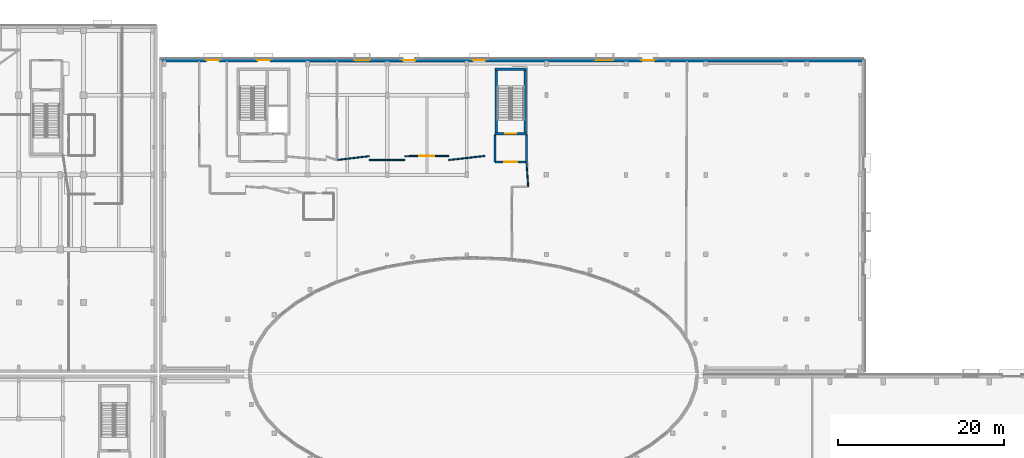
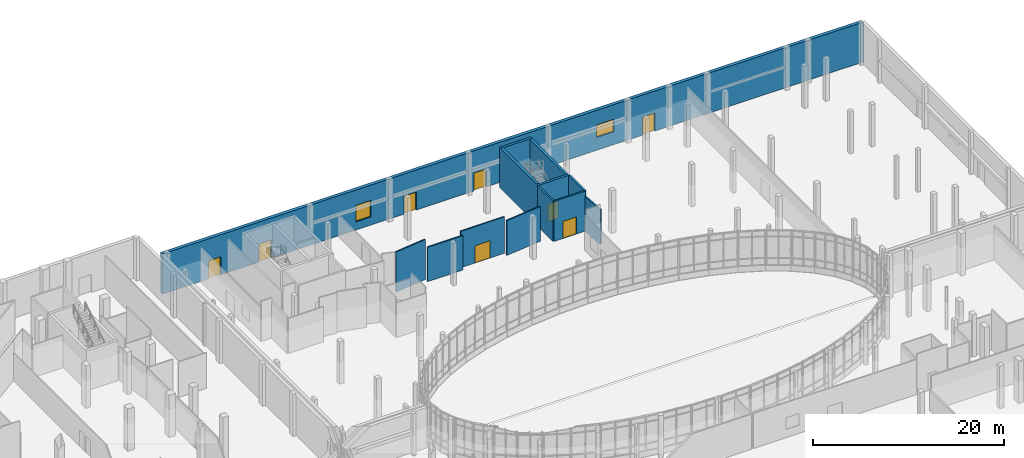
# One storey, part 49 of 84: 13 walls, 8 doors, 2 windows, 10 openings.
"""IFC4 building model written with IfcOpenShell, lengths in metres."""

from ifc_helpers import new_model, si_unit, direction, frame, frame_2d, origin, place, context, subcontext, project, spatial, rectangle, extrude, material, layer, layer_set, type_object, element, fill, save


model = new_model("IFC4")

# Units and contexts
model_context = context("Model", 3, precision=1e-05, world=origin(), true_north=direction((0.0, 1.0)))
body_context = subcontext(model_context, "Body", "Model", "MODEL_VIEW")
ifc_project = project(units=[si_unit("LENGTHUNIT", "METRE"), si_unit("AREAUNIT", "SQUARE_METRE"), si_unit("VOLUMEUNIT", "CUBIC_METRE"), si_unit("PLANEANGLEUNIT", "RADIAN"), si_unit("MASSUNIT", "GRAM", prefix="KILO")], contexts=[model_context])

# Site, building, storey
site_placement = place(None, origin())
site = spatial("IfcSite", under=ifc_project, at=site_placement, CompositionType="ELEMENT")
building_placement = place(site_placement, origin())
building = spatial("IfcBuilding", under=site, at=building_placement, Name="Mzevani Central Library", CompositionType="ELEMENT")
storey_placement = place(building_placement, origin())
storey = spatial("IfcBuildingStorey", under=building, at=storey_placement, Name="L00", CompositionType="ELEMENT", Elevation=0.0)

# Wall
ifc_material_1 = material(Name="Concrete C35/45", Category="concrete")
ifc_layer_1 = layer(ifc_material_1, 0.199951171875, Name="Compartment Wall 200")
ifc_layer_set_1 = layer_set([ifc_layer_1], Name="Concrete C35/45")
wall_type_1 = type_object("IfcWallType", Name="Compartment Wall 200", PredefinedType="STANDARD", material=ifc_layer_set_1)
wall_1_placement = place(storey_placement, frame((86.60009765625, 104.800048828125, 0.0), z_axis=(0.0, 0.0, 1.0), x_axis=(0.0, -1.0, 0.0)))
element("IfcWall", 1, at=wall_1_placement, inside=storey, type_object=wall_type_1, Name="L00 Stair Vestibule C3B Enclosure Wall 1", PredefinedType="STANDARD", context=body_context, shape_type="SweptSolid", body=[
    extrude(rectangle(XDim=3.25, YDim=0.199951171875, at=frame_2d((1.625, 0.0))), origin(), (0.0, 0.0, 1.0), 5.1201171875),
])

# Wall, opening, door
wall_2_placement = place(storey_placement, frame((86.60009765625, 101.550048828125, 0.0), z_axis=(0.0, 0.0, 1.0), x_axis=(1.0, 0.0, 0.0)))
wall_2 = element("IfcWall", 2, at=wall_2_placement, inside=storey, type_object=wall_type_1, Name="L00 Stair Vestibule C3B Enclosure Wall 2", PredefinedType="STANDARD", context=body_context, shape_type="SweptSolid", body=[
    extrude(rectangle(XDim=3.7998046875, YDim=0.199951171875, at=frame_2d((1.89990234375, 0.0))), origin(), (0.0, 0.0, 1.0), 5.1201171875),
])
opening_1_placement = place(wall_2_placement, frame((1.10009765625, 0.0, 0.0)))
opening_1 = element("IfcOpeningElement", 3, at=opening_1_placement, cuts=wall_2, Name="Opening FD-02", PredefinedType="OPENING", context=body_context, shape_type="SweptSolid", body=[
    extrude(rectangle(XDim=1.60009765625, YDim=2.199951171875, at=frame_2d((0.800048828125, 1.10009765625))), frame((0.0, 0.10986328125, 0.0), z_axis=(0.0, -1.0, 0.0), x_axis=(1.0, 0.0, 0.0)), (0.0, 0.0, 1.0), 0.219970703125),
])
ifc_material_2 = material(Name="Fire-rated steel door assembly", Category="steel")
door_type_1 = type_object("IfcDoorType", Name="Fire Lobby Double Door 1600x2200", OperationType="NOTDEFINED", PredefinedType="DOOR", material=ifc_material_2)
door_1_placement = place(opening_1_placement, origin())
door_1 = element("IfcDoor", 4, at=door_1_placement, inside=storey, type_object=door_type_1, Name="L00 Stair Vestibule C3B Smoke-Control Door", OperationType="DOUBLE_DOOR_SINGLE_SWING", OverallHeight=2.199951171875, OverallWidth=1.60009765625, PredefinedType="DOOR", context=body_context, shape_type="SweptSolid", body=[
    extrude(rectangle(XDim=1.60009765625, YDim=2.199951171875, at=frame_2d((0.800048828125, 1.10009765625))), frame((0.0, 0.02490234375, 0.0), z_axis=(0.0, -1.0, 0.0), x_axis=(1.0, 0.0, 0.0)), (0.0, 0.0, 1.0), 0.050048828125),
])
fill(opening_1, door_1)

# Wall
wall_3_placement = place(storey_placement, frame((90.39990234375, 101.550048828125, 0.0), z_axis=(0.0, 0.0, 1.0), x_axis=(0.0, 1.0, 0.0)))
element("IfcWall", 5, at=wall_3_placement, inside=storey, type_object=wall_type_1, Name="L00 Stair Vestibule C3B Enclosure Wall 3", PredefinedType="STANDARD", context=body_context, shape_type="SweptSolid", body=[
    extrude(rectangle(XDim=3.25, YDim=0.199951171875, at=frame_2d((1.625, 0.0))), origin(), (0.0, 0.0, 1.0), 5.1201171875),
])

# Wall, opening, door
ifc_material_3 = material(Name="Concrete C40/50", Category="concrete")
ifc_layer_2 = layer(ifc_material_3, 0.300048828125, Name="Core Shear Wall 300")
ifc_layer_set_2 = layer_set([ifc_layer_2], Name="Concrete C40/50")
wall_type_2 = type_object("IfcWallType", Name="Core Shear Wall 300", PredefinedType="SHEAR", material=ifc_layer_set_2)
wall_4_placement = place(storey_placement, frame((90.39990234375, 104.949951171875, 0.0), z_axis=(0.0, 0.0, 1.0), x_axis=(-1.0, 0.0, 0.0)))
wall_4 = element("IfcWall", 6, at=wall_4_placement, inside=storey, type_object=wall_type_2, Name="L00 Core C3B Atrium East Escape Stair Shear Wall (-y)", PredefinedType="SHEAR", context=body_context, shape_type="SweptSolid", body=[
    extrude(rectangle(XDim=3.7998046875, YDim=0.300048828125, at=frame_2d((1.89990234375, 0.0))), origin(), (0.0, 0.0, 1.0), 5.1201171875),
])
opening_2_placement = place(wall_4_placement, frame((1.25, 0.0, 0.0)))
opening_2 = element("IfcOpeningElement", 7, at=opening_2_placement, cuts=wall_4, Name="Opening FD-01", PredefinedType="OPENING", context=body_context, shape_type="SweptSolid", body=[
    extrude(rectangle(XDim=1.300048828125, YDim=2.199951171875, at=frame_2d((0.64990234375, 1.10009765625))), frame((0.0, 0.16015625, 0.0), z_axis=(0.0, -1.0, 0.0), x_axis=(1.0, 0.0, 0.0)), (0.0, 0.0, 1.0), 0.320068359375),
])
door_type_2 = type_object("IfcDoorType", Name="Fire Stair Door 1300x2200", OperationType="NOTDEFINED", PredefinedType="DOOR", material=ifc_material_2)
door_2_placement = place(opening_2_placement, origin())
door_2 = element("IfcDoor", 8, at=door_2_placement, inside=storey, type_object=door_type_2, Name="L00 ST-06 Protected Exit Stair Door", OperationType="SINGLE_SWING_LEFT", OverallHeight=2.199951171875, OverallWidth=1.300048828125, PredefinedType="DOOR", context=body_context, shape_type="SweptSolid", body=[
    extrude(rectangle(XDim=1.300048828125, YDim=2.199951171875, at=frame_2d((0.64990234375, 1.10009765625))), frame((0.0, 0.02490234375, 0.0), z_axis=(0.0, -1.0, 0.0), x_axis=(1.0, 0.0, 0.0)), (0.0, 0.0, 1.0), 0.050048828125),
])
fill(opening_2, door_2)

# Walls
wall_5_placement = place(storey_placement, frame((86.75, 104.800048828125, 0.0), z_axis=(0.0, 0.0, 1.0), x_axis=(0.0, 1.0, 0.0)))
element("IfcWall", 9, at=wall_5_placement, inside=storey, type_object=wall_type_2, Name="L00 Core C3B Atrium East Escape Stair Shear Wall (-x)", PredefinedType="SHEAR", context=body_context, shape_type="SweptSolid", body=[
    extrude(rectangle(XDim=8.099853515625, YDim=0.300048828125, at=frame_2d((4.0498046875, 0.0))), origin(), (0.0, 0.0, 1.0), 5.1201171875),
])
wall_6_placement = place(storey_placement, frame((86.60009765625, 112.75, 0.0), z_axis=(0.0, 0.0, 1.0), x_axis=(1.0, 0.0, 0.0)))
element("IfcWall", 10, at=wall_6_placement, inside=storey, type_object=wall_type_2, Name="L00 Core C3B Atrium East Escape Stair Shear Wall (+y)", PredefinedType="SHEAR", context=body_context, shape_type="SweptSolid", body=[
    extrude(rectangle(XDim=3.7998046875, YDim=0.300048828125, at=frame_2d((1.89990234375, 0.0))), origin(), (0.0, 0.0, 1.0), 5.1201171875),
])
wall_7_placement = place(storey_placement, frame((90.25, 112.89990234375, 0.0), z_axis=(0.0, 0.0, 1.0), x_axis=(0.0, -1.0, 0.0)))
element("IfcWall", 11, at=wall_7_placement, inside=storey, type_object=wall_type_2, Name="L00 Core C3B Atrium East Escape Stair Shear Wall (+x)", PredefinedType="SHEAR", context=body_context, shape_type="SweptSolid", body=[
    extrude(rectangle(XDim=8.099853515625, YDim=0.300048828125, at=frame_2d((4.0498046875, 0.0))), origin(), (0.0, 0.0, 1.0), 5.1201171875),
])

# Wall, openings, windows, doors
ifc_material_4 = material(Name="Precast concrete C40/50", Category="concrete")
ifc_layer_3 = layer(ifc_material_4, 0.3798828125, Name="Exterior Thermal Concrete Wall 380")
ifc_layer_set_3 = layer_set([ifc_layer_3], Name="Precast concrete C40/50")
wall_type_3 = type_object("IfcWallType", Name="Exterior Thermal Concrete Wall 380", PredefinedType="STANDARD", material=ifc_layer_set_3)
wall_8_placement = place(storey_placement, frame((46.2900390625, 113.81005859375, 0.0), z_axis=(0.0, 0.0, 1.0), x_axis=(1.0, 0.0, 0.0)))
wall_8 = element("IfcWall", 12, at=wall_8_placement, inside=storey, type_object=wall_type_3, Name="L00 V3 Exterior Thermal Wall (41)", PredefinedType="STANDARD", context=body_context, shape_type="SweptSolid", body=[
    extrude(rectangle(XDim=84.719970703125, YDim=0.3798828125, at=frame_2d((42.35986328125, 0.0))), origin(), (0.0, 0.0, 1.0), 5.1201171875),
])
opening_3_placement = place(wall_8_placement, frame((5.56494140625, 0.0, 0.0)))
opening_3 = element("IfcOpeningElement", 13, at=opening_3_placement, cuts=wall_8, Name="Opening ED-01", PredefinedType="OPENING", context=body_context, shape_type="SweptSolid", body=[
    extrude(rectangle(XDim=1.5, YDim=2.300048828125, at=frame_2d((0.75, 1.14990234375))), frame((0.0, 0.199951171875, 0.0), z_axis=(0.0, -1.0, 0.0), x_axis=(1.0, 0.0, 0.0)), (0.0, 0.0, 1.0), 0.39990234375),
])
opening_4_placement = place(wall_8_placement, frame((29.20751953125, 0.0, 0.0)))
opening_4 = element("IfcOpeningElement", 14, at=opening_4_placement, cuts=wall_8, Name="Opening ED-01", PredefinedType="OPENING", context=body_context, shape_type="SweptSolid", body=[
    extrude(rectangle(XDim=1.5, YDim=2.300048828125, at=frame_2d((0.75, 1.14990234375))), frame((0.0, 0.199951171875, 0.0), z_axis=(0.0, -1.0, 0.0), x_axis=(1.0, 0.0, 0.0)), (0.0, 0.0, 1.0), 0.39990234375),
])
opening_5_placement = place(wall_8_placement, frame((58.012451171875, 0.0, 0.0)))
opening_5 = element("IfcOpeningElement", 15, at=opening_5_placement, cuts=wall_8, Name="Opening ED-01", PredefinedType="OPENING", context=body_context, shape_type="SweptSolid", body=[
    extrude(rectangle(XDim=1.5, YDim=2.300048828125, at=frame_2d((0.75, 1.14990234375))), frame((0.0, 0.199951171875, 0.0), z_axis=(0.0, -1.0, 0.0), x_axis=(1.0, 0.0, 0.0)), (0.0, 0.0, 1.0), 0.39990234375),
])
opening_6_placement = place(wall_8_placement, frame((23.40478515625, 0.0, 1.050048828125)))
opening_6 = element("IfcOpeningElement", 16, at=opening_6_placement, cuts=wall_8, Name="Opening W-14", PredefinedType="OPENING", context=body_context, shape_type="SweptSolid", body=[
    extrude(rectangle(XDim=1.800048828125, YDim=2.10009765625, at=frame_2d((0.89990234375, 1.050048828125))), frame((0.0, 0.199951171875, 0.0), z_axis=(0.0, -1.0, 0.0), x_axis=(1.0, 0.0, 0.0)), (0.0, 0.0, 1.0), 0.39990234375),
])
opening_7_placement = place(wall_8_placement, frame((52.465087890625, 0.0, 1.64990234375)))
opening_7 = element("IfcOpeningElement", 17, at=opening_7_placement, cuts=wall_8, Name="Opening W-16", PredefinedType="OPENING", context=body_context, shape_type="SweptSolid", body=[
    extrude(rectangle(XDim=2.10009765625, YDim=1.60009765625, at=frame_2d((1.050048828125, 0.800048828125))), frame((0.0, 0.199951171875, 0.0), z_axis=(0.0, -1.0, 0.0), x_axis=(1.0, 0.0, 0.0)), (0.0, 0.0, 1.0), 0.39990234375),
])
opening_8_placement = place(wall_8_placement, frame((11.659912109375, 0.0, 0.0)))
opening_8 = element("IfcOpeningElement", 18, at=opening_8_placement, cuts=wall_8, Name="Opening ED-01", PredefinedType="OPENING", context=body_context, shape_type="SweptSolid", body=[
    extrude(rectangle(XDim=1.5, YDim=2.300048828125, at=frame_2d((0.75, 1.14990234375))), frame((0.0, 0.199951171875, 0.0), z_axis=(0.0, -1.0, 0.0), x_axis=(1.0, 0.0, 0.0)), (0.0, 0.0, 1.0), 0.39990234375),
])
opening_9_placement = place(wall_8_placement, frame((37.659912109375, 0.0, 0.0)))
opening_9 = element("IfcOpeningElement", 19, at=opening_9_placement, cuts=wall_8, Name="Opening ED-01", PredefinedType="OPENING", context=body_context, shape_type="SweptSolid", body=[
    extrude(rectangle(XDim=1.5, YDim=2.300048828125, at=frame_2d((0.75, 1.14990234375))), frame((0.0, 0.199951171875, 0.0), z_axis=(0.0, -1.0, 0.0), x_axis=(1.0, 0.0, 0.0)), (0.0, 0.0, 1.0), 0.39990234375),
])
ifc_material_5 = material(Name="Low-E triple glazing glass", Category="glass")
window_type_1 = type_object("IfcWindowType", Name="Deep Reveal Window 1800x2100", PartitioningType="SINGLE_PANEL", PredefinedType="WINDOW", material=ifc_material_5)
window_1_placement = place(opening_6_placement, origin())
window_1 = element("IfcWindow", 20, at=window_1_placement, inside=storey, type_object=window_type_1, Name="L00 V3 Deep-Reveal Window W-14 (121)", OverallHeight=2.10009765625, OverallWidth=1.800048828125, PartitioningType="SINGLE_PANEL", PredefinedType="WINDOW", context=body_context, shape_type="SweptSolid", body=[
    extrude(rectangle(XDim=1.800048828125, YDim=2.10009765625, at=frame_2d((0.89990234375, 1.050048828125))), frame((0.0, 0.030029296875, 0.0), z_axis=(0.0, -1.0, 0.0), x_axis=(1.0, 0.0, 0.0)), (0.0, 0.0, 1.0), 0.06005859375),
])
fill(opening_6, window_1)
ifc_material_6 = material(Name="Anodized architectural bronze")
door_type_3 = type_object("IfcDoorType", Name="Exterior Final Exit Door 1500x2300", OperationType="NOTDEFINED", PredefinedType="DOOR", material=ifc_material_6)
door_3_placement = place(opening_3_placement, origin())
door_3 = element("IfcDoor", 21, at=door_3_placement, inside=storey, type_object=door_type_3, Name="L00 V3 Protected Exit Corridor Final Discharge Door", OperationType="SINGLE_SWING_LEFT", OverallHeight=2.300048828125, OverallWidth=1.5, PredefinedType="DOOR", context=body_context, shape_type="SweptSolid", body=[
    extrude(rectangle(XDim=1.5, YDim=2.300048828125, at=frame_2d((0.75, 1.14990234375))), frame((0.0, 0.02490234375, 0.0), z_axis=(0.0, -1.0, 0.0), x_axis=(1.0, 0.0, 0.0)), (0.0, 0.0, 1.0), 0.050048828125),
])
fill(opening_3, door_3)
door_4_placement = place(opening_4_placement, origin())
door_4 = element("IfcDoor", 22, at=door_4_placement, inside=storey, type_object=door_type_3, Name="L00 V3 Exterior Entrance / Exit Door (17)", OperationType="SINGLE_SWING_RIGHT", OverallHeight=2.300048828125, OverallWidth=1.5, PredefinedType="DOOR", context=body_context, shape_type="SweptSolid", body=[
    extrude(rectangle(XDim=1.5, YDim=2.300048828125, at=frame_2d((0.75, 1.14990234375))), frame((0.0, 0.02490234375, 0.0), z_axis=(0.0, -1.0, 0.0), x_axis=(1.0, 0.0, 0.0)), (0.0, 0.0, 1.0), 0.050048828125),
])
fill(opening_4, door_4)
door_5_placement = place(opening_5_placement, origin())
door_5 = element("IfcDoor", 23, at=door_5_placement, inside=storey, type_object=door_type_3, Name="L00 V3 Exterior Entrance / Exit Door (18)", OperationType="SINGLE_SWING_LEFT", OverallHeight=2.300048828125, OverallWidth=1.5, PredefinedType="DOOR", context=body_context, shape_type="SweptSolid", body=[
    extrude(rectangle(XDim=1.5, YDim=2.300048828125, at=frame_2d((0.75, 1.14990234375))), frame((0.0, 0.02490234375, 0.0), z_axis=(0.0, -1.0, 0.0), x_axis=(1.0, 0.0, 0.0)), (0.0, 0.0, 1.0), 0.050048828125),
])
fill(opening_5, door_5)
door_6_placement = place(opening_8_placement, origin())
door_6 = element("IfcDoor", 24, at=door_6_placement, inside=storey, type_object=door_type_3, Name="L00 ST-05 Final Grade Exit Discharge Door", OperationType="SINGLE_SWING_RIGHT", OverallHeight=2.300048828125, OverallWidth=1.5, PredefinedType="DOOR", context=body_context, shape_type="SweptSolid", body=[
    extrude(rectangle(XDim=1.5, YDim=2.300048828125, at=frame_2d((0.75, 1.14990234375))), frame((0.0, 0.02490234375, 0.0), z_axis=(0.0, -1.0, 0.0), x_axis=(1.0, 0.0, 0.0)), (0.0, 0.0, 1.0), 0.050048828125),
])
fill(opening_8, door_6)
door_7_placement = place(opening_9_placement, origin())
door_7 = element("IfcDoor", 25, at=door_7_placement, inside=storey, type_object=door_type_3, Name="L00 ST-06 Final Grade Exit Discharge Door", OperationType="SINGLE_SWING_LEFT", OverallHeight=2.300048828125, OverallWidth=1.5, PredefinedType="DOOR", context=body_context, shape_type="SweptSolid", body=[
    extrude(rectangle(XDim=1.5, YDim=2.300048828125, at=frame_2d((0.75, 1.14990234375))), frame((0.0, 0.02490234375, 0.0), z_axis=(0.0, -1.0, 0.0), x_axis=(1.0, 0.0, 0.0)), (0.0, 0.0, 1.0), 0.050048828125),
])
fill(opening_9, door_7)
window_type_2 = type_object("IfcWindowType", Name="Reading Clerestory Window 2100x1600", PartitioningType="SINGLE_PANEL", PredefinedType="WINDOW", material=ifc_material_5)
window_2_placement = place(opening_7_placement, origin())
window_2 = element("IfcWindow", 26, at=window_2_placement, inside=storey, type_object=window_type_2, Name="L00 V3 Deep-Reveal Window W-16 (122)", OverallHeight=1.60009765625, OverallWidth=2.10009765625, PartitioningType="SINGLE_PANEL", PredefinedType="WINDOW", context=body_context, shape_type="SweptSolid", body=[
    extrude(rectangle(XDim=2.10009765625, YDim=1.60009765625, at=frame_2d((1.050048828125, 0.800048828125))), frame((0.0, 0.030029296875, 0.0), z_axis=(0.0, -1.0, 0.0), x_axis=(1.0, 0.0, 0.0)), (0.0, 0.0, 1.0), 0.06005859375),
])
fill(opening_7, window_2)

# Wall
ifc_material_7 = material(Name="Fire-rated gypsum board", Category="gypsum")
ifc_layer_4 = layer(ifc_material_7, 0.14990234375, Name="Partition Study 150")
ifc_layer_set_4 = layer_set([ifc_layer_4], Name="Fire-rated gypsum board")
wall_type_4 = type_object("IfcWallType", Name="Partition Study 150", PredefinedType="PARTITIONING", material=ifc_layer_set_4)
wall_9_placement = place(storey_placement, frame((85.375, 102.27490234375, 0.0), z_axis=(0.0, 0.0, 1.0), x_axis=(-0.993591313496, -0.113032303988, 0.0)))
element("IfcWall", 27, at=wall_9_placement, inside=storey, type_object=wall_type_4, Name="L00 V3 Partition IW-03 (141)", PredefinedType="PARTITIONING", context=body_context, shape_type="SweptSolid", body=[
    extrude(rectangle(XDim=4.378173828125, YDim=0.14990234375, at=frame_2d((2.18896484375, 0.0))), origin(), (0.0, 0.0, 1.0), 4.449951171875),
])

# Wall, opening, door
wall_10_placement = place(storey_placement, frame((81.02490234375, 102.27490234375, 0.0), z_axis=(0.0, 0.0, 1.0), x_axis=(-0.999988856687, -0.004720858252, 0.0)))
wall_10 = element("IfcWall", 28, at=wall_10_placement, inside=storey, type_object=wall_type_4, Name="L00 V3 Partition IW-03 (142)", PredefinedType="PARTITIONING", context=body_context, shape_type="SweptSolid", body=[
    extrude(rectangle(XDim=5.27490234375, YDim=0.14990234375, at=frame_2d((2.637451171875, 0.0))), origin(), (0.0, 0.0, 1.0), 4.64990234375),
])
opening_10_placement = place(wall_10_placement, frame((1.737548828125, 0.0, 0.0)))
opening_10 = element("IfcOpeningElement", 29, at=opening_10_placement, cuts=wall_10, Name="Opening FD-06", PredefinedType="OPENING", context=body_context, shape_type="SweptSolid", body=[
    extrude(rectangle(XDim=1.800048828125, YDim=2.199951171875, at=frame_2d((0.89990234375, 1.10009765625))), frame((0.0, 0.0849609375, 0.0), z_axis=(0.0, -1.0, 0.0), x_axis=(1.0, 0.0, 0.0)), (0.0, 0.0, 1.0), 0.169921875),
])
door_type_4 = type_object("IfcDoorType", Name="Fire Corridor Double Door 1800x2200", OperationType="NOTDEFINED", PredefinedType="DOOR", material=ifc_material_2)
door_8_placement = place(opening_10_placement, origin())
door_8 = element("IfcDoor", 30, at=door_8_placement, inside=storey, type_object=door_type_4, Name="L00 Georgian Cartography Exhibition Room Door", OperationType="DOUBLE_DOOR_SINGLE_SWING", OverallHeight=2.199951171875, OverallWidth=1.800048828125, PredefinedType="DOOR", context=body_context, shape_type="SweptSolid", body=[
    extrude(rectangle(XDim=1.800048828125, YDim=2.199951171875, at=frame_2d((0.89990234375, 1.10009765625))), frame((0.0, 0.02490234375, 0.0), z_axis=(0.0, -1.0, 0.0), x_axis=(1.0, 0.0, 0.0)), (0.0, 0.0, 1.0), 0.050048828125),
])
fill(opening_10, door_8)

# Walls
wall_11_placement = place(storey_placement, frame((75.75, 101.780029296875, 0.0), z_axis=(0.0, 0.0, 1.0), x_axis=(-1.0, 0.0, 0.0)))
element("IfcWall", 31, at=wall_11_placement, inside=storey, type_object=wall_type_4, Name="L00 V3 Partition IW-03 (143)", PredefinedType="PARTITIONING", context=body_context, shape_type="SweptSolid", body=[
    extrude(rectangle(XDim=4.300048828125, YDim=0.14990234375, at=frame_2d((2.14990234375, 0.0))), origin(), (0.0, 0.0, 1.0), 4.39990234375),
])
wall_12_placement = place(storey_placement, frame((71.449951171875, 102.25, 0.0), z_axis=(0.0, 0.0, 1.0), x_axis=(-0.992760641665, -0.120109568152, 0.0)))
element("IfcWall", 32, at=wall_12_placement, inside=storey, type_object=wall_type_4, Name="L00 V3 Partition IW-03 (144)", PredefinedType="PARTITIONING", context=body_context, shape_type="SweptSolid", body=[
    extrude(rectangle(XDim=3.813232421875, YDim=0.14990234375, at=frame_2d((1.90673828125, 0.0))), origin(), (0.0, 0.0, 1.0), 5.1201171875),
])
wall_13_placement = place(storey_placement, frame((90.60009765625, 98.550048828125, 0.0), z_axis=(0.0, 0.0, 1.0), x_axis=(-0.066524585458, 0.997784786179, 0.0)))
element("IfcWall", 33, at=wall_13_placement, inside=storey, type_object=wall_type_4, Name="L00 V3 Partition IW-03 (145)", PredefinedType="PARTITIONING", context=body_context, shape_type="SweptSolid", body=[
    extrude(rectangle(XDim=2.906494140625, YDim=0.14990234375, at=frame_2d((1.453125, 0.0))), origin(), (0.0, 0.0, 1.0), 4.449951171875),
])

save(model, "model.ifc")
